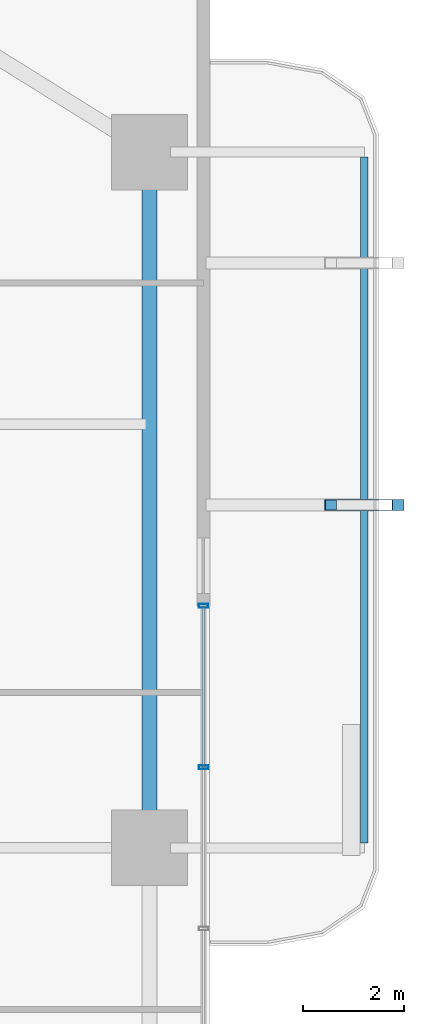
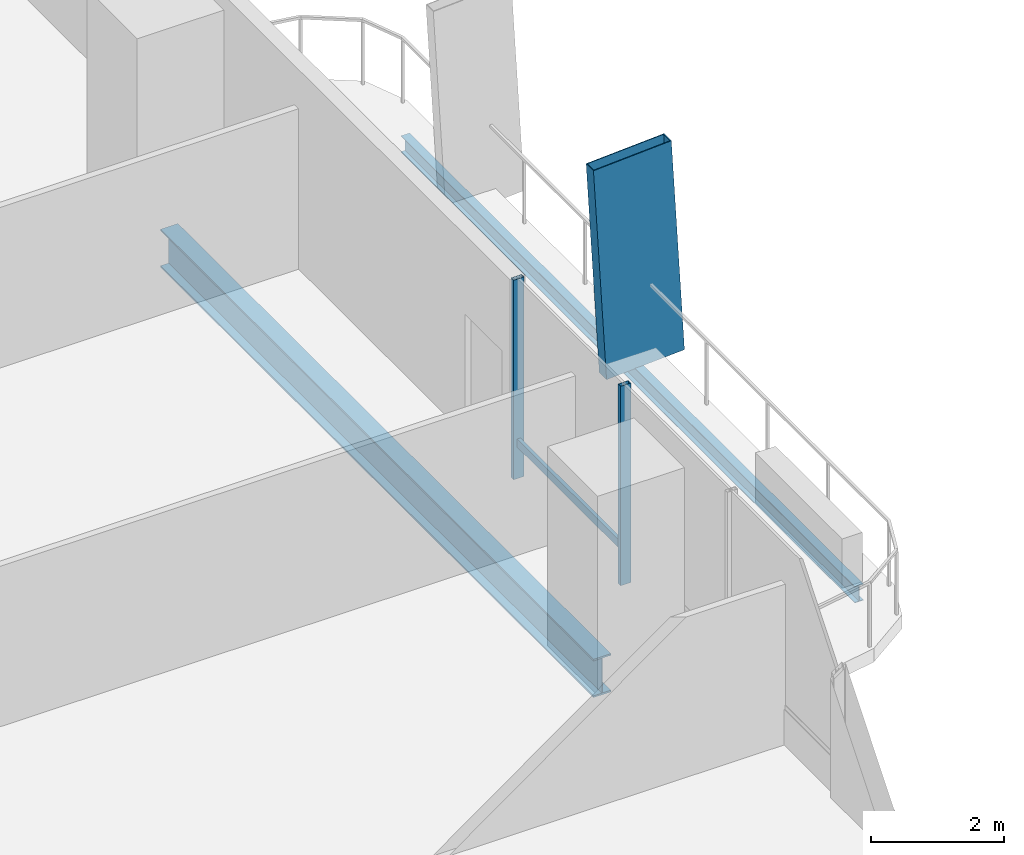
# One storey, part 13 of 24: 4 members, 2 beams, 1 element without a shape of its own.
"""IFC4 building model written with IfcOpenShell, lengths in metres."""

from ifc_helpers import new_model, si_unit, direction, frame, origin, origin_2d, place, context, subcontext, project, spatial, hollow_rectangle, i_section, extrude, material, layer, layer_set, material_profile, profile_set, type_object, element, aggregate, save


model = new_model("IFC4")

# Units and contexts
model_context = context("Model", 3, precision=1e-05, world=origin(), true_north=direction((0.0, 1.0)))
body_context = subcontext(model_context, "Body", "Model", "MODEL_VIEW")
ifc_project = project(units=[si_unit("LENGTHUNIT", "METRE"), si_unit("AREAUNIT", "SQUARE_METRE"), si_unit("VOLUMEUNIT", "CUBIC_METRE"), si_unit("PLANEANGLEUNIT", "RADIAN"), si_unit("MASSUNIT", "GRAM", prefix="KILO")], contexts=[model_context])

# Site, building, storey
site_placement = place(None, origin())
site = spatial("IfcSite", under=ifc_project, at=site_placement, CompositionType="ELEMENT")
building_placement = place(site_placement, origin())
building = spatial("IfcBuilding", under=site, at=building_placement, Name="Belovzor Exchange Tower", CompositionType="ELEMENT")
storey_placement = place(building_placement, frame((0.0, 0.0, 37.800048828125)))
storey = spatial("IfcBuildingStorey", under=building, at=storey_placement, Name="L08", CompositionType="ELEMENT", Elevation=37.800048828125)

# Member
ifc_material_1 = material(Name="Extruded Architectural Terracotta on Steel S355 Carrier", Category="masonry")
ifc_material_profile_1 = material_profile(ifc_material_1, hollow_rectangle(XDim=0.219970703125, YDim=1.35009765625, WallThickness=0.013916015625, at=origin_2d()))
ifc_profile_set_1 = profile_set([ifc_material_profile_1], Name="Extruded Architectural Terracotta on Steel S355 Carrier")
member_type_1 = type_object("IfcMemberType", Name="Base Arc Sweeping Terracotta Pylon Fin 1450", PredefinedType="USERDEFINED", material=ifc_profile_set_1)
member_1_placement = place(storey_placement, frame((59.873046875, 35.60009765625, -0.25), z_axis=(-0.058121188646, 0.0, 0.998309534879), x_axis=(0.0, -1.0, 0.0)))
element("IfcMember", 1, at=member_1_placement, inside=storey, type_object=member_type_1, Name="FIN-TC145 Terracotta Facade Fin L08 E3", ObjectType="FIN", PredefinedType="USERDEFINED", context=body_context, shape_type="SweptSolid", body=[
    extrude(hollow_rectangle(XDim=0.219970703125, YDim=1.35009765625, WallThickness=0.013916015625, at=origin_2d()), origin(), (0.0, 0.0, 1.0), 3.906494140625),
])

# Beam
ifc_material_2 = material(Name="Steel S355", Category="steel")
ifc_material_profile_2 = material_profile(ifc_material_2, i_section(OverallWidth=0.14990234375, OverallDepth=0.300048828125, WebThickness=0.007080078125, FlangeThickness=0.0107421875, at=origin_2d()))
ifc_profile_set_2 = profile_set([ifc_material_profile_2], Name="Steel S355")
beam_type_1 = type_object("IfcBeamType", Name="Planted Balcony Fascia Edge Beam IPE 300", PredefinedType="BEAM", material=ifc_profile_set_2)
beam_1_placement = place(storey_placement, frame((59.762939453125, 28.89990234375, -0.400146484375), z_axis=(0.0, 1.0, 0.0), x_axis=(-1.0, 0.0, 0.0)))
element("IfcBeam", 2, at=beam_1_placement, inside=storey, type_object=beam_type_1, Name="BC-300 Planted Balcony Fascia Edge Beam IPE 300", PredefinedType="BEAM", context=body_context, shape_type="SweptSolid", body=[
    extrude(i_section(OverallWidth=0.14990234375, OverallDepth=0.300048828125, WebThickness=0.007080078125, FlangeThickness=0.0107421875, at=origin_2d()), origin(), (0.0, 0.0, 1.0), 13.60009765625),
])

# Curtain wall, members
ifc_material_3 = material(Name="Anodised Aluminium Framing", Category="aluminium")
ifc_layer = layer(ifc_material_3, 0.179931640625)
ifc_layer_set = layer_set([ifc_layer], Name="Anodised Aluminium Framing")
curtain_wall_type = type_object("IfcCurtainWallType", Name="Recessed Loggia Low-Iron Triple-Glazed Curtain Wall", PredefinedType="NOTDEFINED", material=ifc_layer_set)
curtain_wall_placement = place(storey_placement, origin())
curtain_wall = element("IfcCurtainWall", 3, at=curtain_wall_placement, inside=storey, type_object=curtain_wall_type, Name="CW3 Recessed Loggia Low-Iron Triple-Glazed Curtain Wall L08", PredefinedType="NOTDEFINED")
ifc_material_4 = material(Name="Steel S355", Category="steel")
ifc_material_profile_3 = material_profile(ifc_material_4, hollow_rectangle(XDim=0.074951171875, YDim=0.179931640625, WallThickness=0.0048828125, at=origin_2d()))
ifc_profile_set_3 = profile_set([ifc_material_profile_3], Name="Steel S355")
member_type_2 = type_object("IfcMemberType", Name="Thermally Broken Curtain Wall Mullion 180x75", PredefinedType="MULLION", material=ifc_profile_set_3)
member_2_placement = place(storey_placement, frame((56.570068359375, 33.60009765625, 0.0), z_axis=(0.0, 0.0, 1.0), x_axis=(0.0, -1.0, 0.0)))
member_2 = element("IfcMember", 4, at=member_2_placement, type_object=member_type_2, Name="CW-M180 Curtain Wall Mullion 1", PredefinedType="MULLION", context=body_context, shape_type="SweptSolid", body=[
    extrude(hollow_rectangle(XDim=0.074951171875, YDim=0.179931640625, WallThickness=0.0048828125, at=origin_2d()), origin(), (0.0, 0.0, 1.0), 3.64990234375),
])
member_3_placement = place(storey_placement, frame((56.570068359375, 30.39990234375, 0.0), z_axis=(0.0, 0.0, 1.0), x_axis=(0.0, -1.0, 0.0)))
member_3 = element("IfcMember", 5, at=member_3_placement, type_object=member_type_2, Name="CW-M180 Curtain Wall Mullion 2", PredefinedType="MULLION", context=body_context, shape_type="SweptSolid", body=[
    extrude(hollow_rectangle(XDim=0.074951171875, YDim=0.179931640625, WallThickness=0.0048828125, at=origin_2d()), origin(), (0.0, 0.0, 1.0), 3.64990234375),
])
ifc_material_5 = material(Name="Steel S355", Category="steel")
ifc_material_profile_4 = material_profile(ifc_material_5, hollow_rectangle(XDim=0.06005859375, YDim=0.14990234375, WallThickness=0.00390625, at=origin_2d()))
ifc_profile_set_4 = profile_set([ifc_material_profile_4], Name="Steel S355")
member_type_3 = type_object("IfcMemberType", Name="Thermally Broken Curtain Wall Transom 150x60", PredefinedType="USERDEFINED", material=ifc_profile_set_4)
member_4_placement = place(storey_placement, frame((56.570068359375, 33.592041015625, 0.64990234375), z_axis=(0.0, -1.0, 0.0), x_axis=(1.0, 0.0, 0.0)))
member_4 = element("IfcMember", 6, at=member_4_placement, type_object=member_type_3, Name="CW-T150 Curtain Wall Transom 1", ObjectType="TRANSOM", PredefinedType="USERDEFINED", context=body_context, shape_type="SweptSolid", body=[
    extrude(hollow_rectangle(XDim=0.06005859375, YDim=0.14990234375, WallThickness=0.00390625, at=origin_2d()), origin(), (0.0, 0.0, 1.0), 3.18408203125),
])
aggregate(curtain_wall, [member_2, member_3, member_4])

# Beam
ifc_material_6 = material(Name="Steel S355", Category="steel")
ifc_material_profile_5 = material_profile(ifc_material_6, i_section(OverallWidth=0.300048828125, OverallDepth=0.699951171875, WebThickness=0.01708984375, FlangeThickness=0.031982421875, at=origin_2d()))
ifc_profile_set_5 = profile_set([ifc_material_profile_5], Name="Steel S355")
beam_type_2 = type_object("IfcBeamType", Name="Zone 1 Primary Perimeter Girder HEB 700", PredefinedType="BEAM", material=ifc_profile_set_5)
beam_2_placement = place(storey_placement, frame((55.5, 29.212890625, -0.60009765625), z_axis=(0.0, 1.0, 0.0), x_axis=(-1.0, 0.0, 0.0)))
element("IfcBeam", 7, at=beam_2_placement, inside=storey, type_object=beam_type_2, Name="FG-Z1 Zone 1 Primary Perimeter Girder HEB 700", PredefinedType="BEAM", context=body_context, shape_type="SweptSolid", body=[
    extrude(i_section(OverallWidth=0.300048828125, OverallDepth=0.699951171875, WebThickness=0.01708984375, FlangeThickness=0.031982421875, at=origin_2d()), origin(), (0.0, 0.0, 1.0), 12.97509765625),
])

save(model, "model.ifc")
